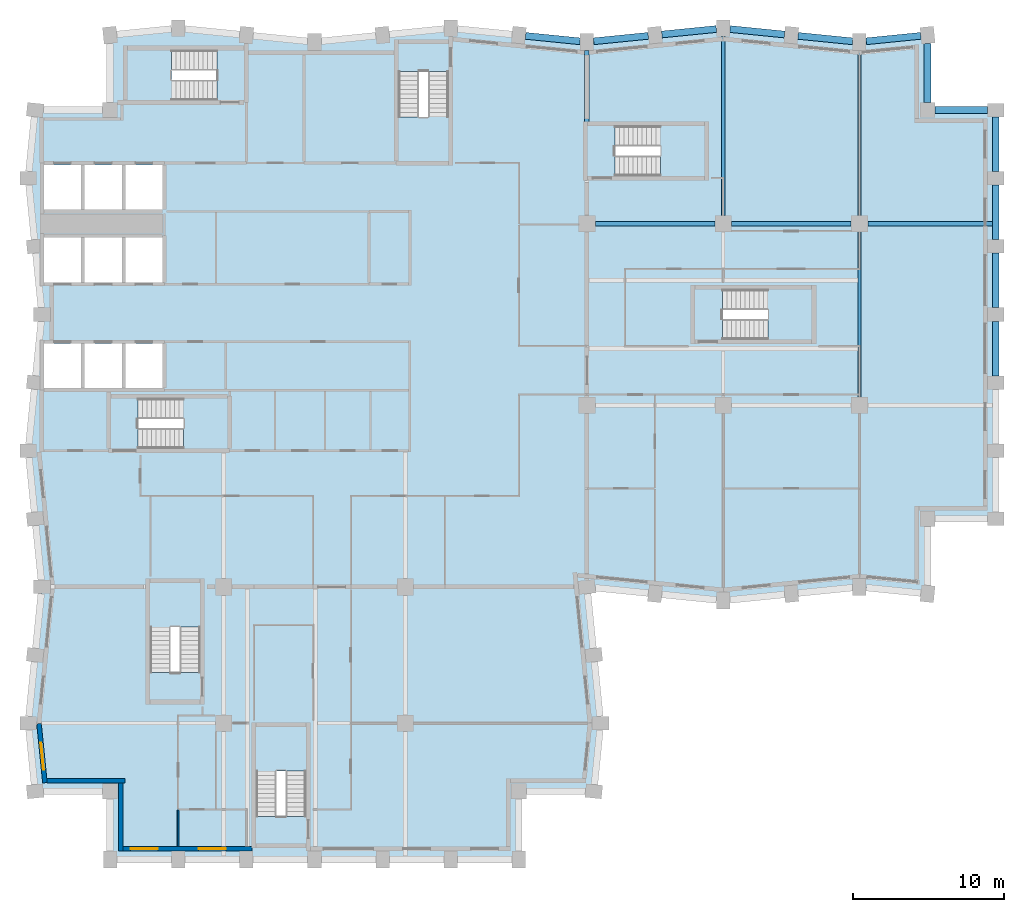
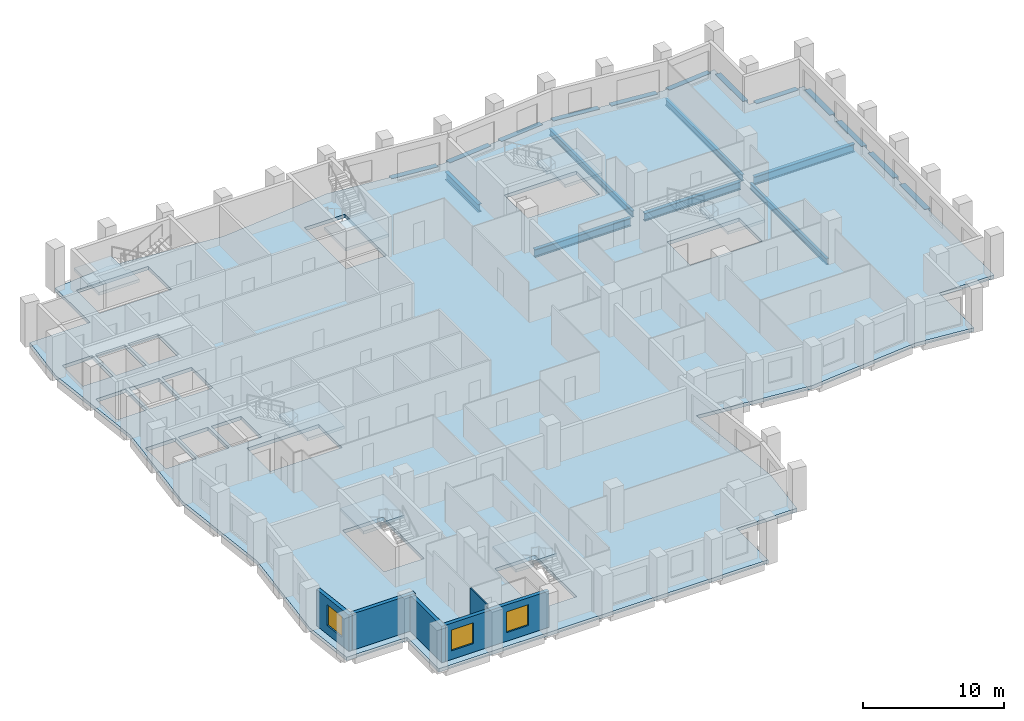
# One storey, part 2 of 10: 19 beams, 8 slabs, 5 walls, 3 windows, 3 openings, 7 elements without a shape of their own.
"""IFC4 building model written with IfcOpenShell, lengths in metres."""

import ifcopenshell
import ifcopenshell.guid

model = None  # the IFC model being written
_history = None  # IfcOwnerHistory: only IFC2X3 demands one
_inside = {}  # id of a spatial element -> (the spatial element, [elements in it])
_under = {}  # id of a project, library or spatial element -> (it, [spatial elements below it])
_declared = {}  # id of a project -> (the project, [libraries it declares])
_typed = {}  # id of a type object -> (the type object, [elements of that type])
_made_of = {}  # id of a material, layer set ... -> (it, [elements and type objects made of it])


def new_model(schema):
    """Start an empty IFC model of exactly this schema.

    Asked for "IFC4X3", IfcOpenShell would pick the latest addendum, in which some entities
    have other attributes; the version numbers below select the first issue.
    IFC2X3 requires an IfcOwnerHistory on every rooted entity: one is made here for all.
    """
    global model, _history
    if schema == "IFC4X3":
        model = ifcopenshell.file(schema_version=(4, 3, 0, 0))
    else:
        model = ifcopenshell.file(schema=schema)
    _inside.clear()
    _under.clear()
    _declared.clear()
    _typed.clear()
    _made_of.clear()
    _history = None
    if model.schema == "IFC2X3":
        org = make("IfcOrganization", Name="unknown")
        user = make(
            "IfcPersonAndOrganization",
            ThePerson=make("IfcPerson", FamilyName="unknown"),
            TheOrganization=org,
        )
        app = make(
            "IfcApplication",
            ApplicationDeveloper=org,
            Version="unknown",
            ApplicationFullName="unknown",
            ApplicationIdentifier="unknown",
        )
        _history = make(
            "IfcOwnerHistory",
            OwningUser=user,
            OwningApplication=app,
            ChangeAction="ADDED",
            CreationDate=0,
        )
    return model


def make(cls, **values):
    """One entity of the class cls with the attributes given. An attribute that is None is left unset."""
    return model.create_entity(
        cls, **{name: value for name, value in values.items() if value is not None}
    )


def rooted(cls, **values):
    """An entity with a GlobalId (a new one), such as an element, a storey or a relation."""
    return make(cls, GlobalId=ifcopenshell.guid.new(), OwnerHistory=_history, **values)


def si_unit(unit_type, name, prefix=None):
    """IfcSIUnit, for example si_unit("LENGTHUNIT", "METRE", prefix="MILLI")."""
    return make("IfcSIUnit", UnitType=unit_type, Prefix=prefix, Name=name)


def assignment(units):
    """IfcUnitAssignment: the units of a project."""
    return None if units is None else make("IfcUnitAssignment", Units=units)


def point(xyz):
    """IfcCartesianPoint."""
    return None if xyz is None else make("IfcCartesianPoint", Coordinates=xyz)


def direction(xyz):
    """IfcDirection."""
    return None if xyz is None else make("IfcDirection", DirectionRatios=xyz)


def frame(location, z_axis=None, x_axis=None):
    """IfcAxis2Placement3D, a coordinate frame: its origin and axes. An axis left out is left unset."""
    return make(
        "IfcAxis2Placement3D",
        Location=point(location),
        Axis=direction(z_axis),
        RefDirection=direction(x_axis),
    )


def frame_2d(location, x_axis=None):
    """IfcAxis2Placement2D, a coordinate frame in the plane: its origin and x axis."""
    return make(
        "IfcAxis2Placement2D", Location=point(location), RefDirection=direction(x_axis)
    )


def origin():
    """The frame at (0, 0, 0) with its axes left unset."""
    return frame((0.0, 0.0, 0.0))


def origin_2d():
    """The frame at (0, 0) in the plane with its x axis left unset."""
    return frame_2d((0.0, 0.0))


def place(relative_to, where):
    """IfcLocalPlacement: puts the frame where relative to a parent placement (None: the world)."""
    return make(
        "IfcLocalPlacement", PlacementRelTo=relative_to, RelativePlacement=where
    )


def context(
    kind, dimensions, precision=None, world=None, true_north=None, identifier=None
):
    """IfcGeometricRepresentationContext, for example the 3D "Model" context."""
    return make(
        "IfcGeometricRepresentationContext",
        ContextIdentifier=identifier,
        ContextType=kind,
        CoordinateSpaceDimension=dimensions,
        Precision=precision,
        WorldCoordinateSystem=world,
        TrueNorth=true_north,
    )


def subcontext(parent, identifier, kind, view, scale=None):
    """IfcGeometricRepresentationSubContext, for example "Body" below "Model"."""
    return make(
        "IfcGeometricRepresentationSubContext",
        ContextIdentifier=identifier,
        ContextType=kind,
        ParentContext=parent,
        TargetScale=scale,
        TargetView=view,
    )


def project(units=None, contexts=None):
    """IfcProject with its units and contexts."""
    return rooted(
        "IfcProject",
        Name="project",
        RepresentationContexts=contexts,
        UnitsInContext=assignment(units),
    )


def spatial(cls, under=None, at=None, **own):
    """A site, building, storey or space (cls), placed at a placement, below another one or the project."""
    s = rooted(cls, ObjectPlacement=at, **own)
    if under is not None:
        _under.setdefault(under.id(), (under, []))[1].append(s)
    return s


def polyline(points):
    """IfcPolyline through the points."""
    return make("IfcPolyline", Points=[point(p) for p in points])


def profile(cls, at=None, kind="AREA", **sizes):
    """A parametric profile (cls). Its sizes go by their IFC names, for example OverallWidth=200.0."""
    return make(cls, ProfileType=kind, Position=at, **sizes)


def rectangle(**sizes):
    """IfcRectangleProfileDef."""
    return profile("IfcRectangleProfileDef", **sizes)


def i_section(**sizes):
    """IfcIShapeProfileDef."""
    return profile("IfcIShapeProfileDef", **sizes)


def outline(outer, holes=None, kind="AREA"):
    """IfcArbitraryClosedProfileDef: a profile drawn as a closed curve; with holes, ...WithVoids."""
    if holes is None:
        return make("IfcArbitraryClosedProfileDef", ProfileType=kind, OuterCurve=outer)
    return make(
        "IfcArbitraryProfileDefWithVoids",
        ProfileType=kind,
        OuterCurve=outer,
        InnerCurves=holes,
    )


def extrude(swept, where, along, depth):
    """IfcExtrudedAreaSolid: the profile swept, set in the frame where, extruded along a direction by depth."""
    return make(
        "IfcExtrudedAreaSolid",
        SweptArea=swept,
        Position=where,
        ExtrudedDirection=direction(along),
        Depth=depth,
    )


def shape(context_of_items, identifier, shape_type, items):
    """IfcShapeRepresentation: the items that make up one representation, for example the "Body"."""
    return make(
        "IfcShapeRepresentation",
        ContextOfItems=context_of_items,
        RepresentationIdentifier=identifier,
        RepresentationType=shape_type,
        Items=items,
    )


def material(Name=None, Category=None):
    """IfcMaterial."""
    return make("IfcMaterial", Name=Name, Category=Category)


def layer(
    of_material, thickness, ventilated=None, Name=None, Category=None, Priority=None
):
    """IfcMaterialLayer: one layer of a wall or slab, of a material (None: an air gap)."""
    return make(
        "IfcMaterialLayer",
        Material=of_material,
        LayerThickness=thickness,
        IsVentilated=ventilated,
        Name=Name,
        Category=Category,
        Priority=Priority,
    )


def layer_set(layers, Name=None):
    """IfcMaterialLayerSet."""
    return make("IfcMaterialLayerSet", MaterialLayers=layers, LayerSetName=Name)


def material_profile(
    of_material, cross_section, Name=None, Category=None, Priority=None
):
    """IfcMaterialProfile: a cross section and its material."""
    return make(
        "IfcMaterialProfile",
        Name=Name,
        Material=of_material,
        Profile=cross_section,
        Priority=Priority,
        Category=Category,
    )


def profile_set(profiles, Name=None, composite=None):
    """IfcMaterialProfileSet."""
    return make(
        "IfcMaterialProfileSet",
        Name=Name,
        MaterialProfiles=profiles,
        CompositeProfile=composite,
    )


def made_of(thing, what):
    """Note that an element or type object is made of a material, layer set ...; save() writes the relation."""
    if what is not None:
        _made_of.setdefault(what.id(), (what, []))[1].append(thing)
    return thing


def type_object(cls, material=None, **own):
    """A type object (cls), such as IfcWallType, which elements share."""
    return made_of(rooted(cls, **own), material)


def element(
    cls,
    number,
    at=None,
    inside=None,
    cuts=None,
    type_object=None,
    material=None,
    context=None,
    identifier="Body",
    shape_type=None,
    held_by="IfcProductDefinitionShape",
    body=None,
    shapes=None,
    **own,
):
    """One element of the class cls, such as IfcWall. Its Tag is "e" and its number.

    at: its placement. inside: the storey or other place that contains it. cuts: it is an
    opening in that element (IfcRelVoidsElement). A single representation is given by context,
    identifier, shape_type and body (its items); several are given by shapes. held_by: the class
    of the entity that holds the representations. save() writes the other relations.
    """
    e = rooted(cls, Tag="e%d" % number, ObjectPlacement=at, **own)
    if body is not None:
        shapes = [shape(context, identifier, shape_type, body)]
    if shapes is not None:
        e.Representation = make(held_by, Representations=shapes)
    if inside is not None:
        _inside.setdefault(inside.id(), (inside, []))[1].append(e)
    if cuts is not None:
        rooted(
            "IfcRelVoidsElement", RelatingBuildingElement=cuts, RelatedOpeningElement=e
        )
    if type_object is not None:
        _typed.setdefault(type_object.id(), (type_object, []))[1].append(e)
    return made_of(e, material)


def fill(opening, filler):
    """IfcRelFillsElement: the door or window that sits in an opening."""
    return rooted(
        "IfcRelFillsElement",
        RelatingOpeningElement=opening,
        RelatedBuildingElement=filler,
    )


def aggregate(whole, parts):
    """IfcRelAggregates: a whole, such as a stair, and the parts it consists of."""
    return rooted("IfcRelAggregates", RelatingObject=whole, RelatedObjects=parts)


def save(model, path):
    """Write the relations noted so far, then the file.

    IfcRelAggregates (storeys below a building ...), IfcRelContainedInSpatialStructure (elements
    in a storey), IfcRelDefinesByType, IfcRelAssociatesMaterial and IfcRelDeclares: one each for
    every whole, place, type object, material and project.
    """
    for whole, parts in _under.values():
        aggregate(whole, parts)
    for where, things in _inside.values():
        rooted(
            "IfcRelContainedInSpatialStructure",
            RelatedElements=things,
            RelatingStructure=where,
        )
    for kind, things in _typed.values():
        rooted("IfcRelDefinesByType", RelatedObjects=things, RelatingType=kind)
    for what, things in _made_of.values():
        rooted("IfcRelAssociatesMaterial", RelatedObjects=things, RelatingMaterial=what)
    for by, libraries in _declared.values():
        rooted("IfcRelDeclares", RelatingContext=by, RelatedDefinitions=libraries)
    model.write(path)


model = new_model("IFC4")

# Units and contexts
model_context = context("Model", 3, precision=1e-05, world=origin(), true_north=direction((0.0, 1.0)))
body_context = subcontext(model_context, "Body", "Model", "MODEL_VIEW")
ifc_project = project(units=[si_unit("LENGTHUNIT", "METRE"), si_unit("AREAUNIT", "SQUARE_METRE"), si_unit("VOLUMEUNIT", "CUBIC_METRE"), si_unit("PLANEANGLEUNIT", "RADIAN"), si_unit("MASSUNIT", "GRAM", prefix="KILO")], contexts=[model_context])

# Site, building, storey
site_placement = place(None, origin())
site = spatial("IfcSite", under=ifc_project, at=site_placement, CompositionType="ELEMENT")
building_placement = place(site_placement, origin())
building = spatial("IfcBuilding", under=site, at=building_placement, Name="Brondeck Convention Tower", CompositionType="ELEMENT")
storey_placement = place(building_placement, frame((0.0, 0.0, 173.800048828125)))
storey = spatial("IfcBuildingStorey", under=building, at=storey_placement, Name="L42", CompositionType="ELEMENT", Elevation=173.800048828125)

# Beams
ifc_material_1 = material(Name="Steel S355", Category="steel")
ifc_material_profile_1 = material_profile(ifc_material_1, i_section(OverallWidth=0.2099609375, OverallDepth=0.550048828125, WebThickness=0.010986328125, FlangeThickness=0.01708984375, FilletRadius=0.02392578125, at=origin_2d()), Name="IPE 550")
ifc_profile_set_1 = profile_set([ifc_material_profile_1], Name="Steel S355")
beam_type_1 = type_object("IfcBeamType", Name="Floor beam IPE 550", PredefinedType="BEAM", material=ifc_profile_set_1)
beam_1_placement = place(storey_placement, frame((45.0, 51.550048828125, -0.574951171875), z_axis=(0.0, 1.0, 0.0), x_axis=(-1.0, 0.0, 0.0)))
element("IfcBeam", 1, at=beam_1_placement, inside=storey, type_object=beam_type_1, Name="STR-FB-L42-002", PredefinedType="BEAM", context=body_context, shape_type="SweptSolid", body=[
    extrude(i_section(OverallWidth=0.2099609375, OverallDepth=0.550048828125, WebThickness=0.010986328125, FlangeThickness=0.01708984375, FilletRadius=0.02392578125, at=origin_2d()), origin(), (0.0, 0.0, 1.0), 11.800048828125),
])
for number, where, z_axis, x_axis, name in (
    (2, (54.0, 39.550048828125, -0.574951171875), (0.0, 1.0, 0.0), (-1.0, 0.0, 0.0), "STR-FB-L42-004"),
    (3, (54.0, 51.550048828125, -0.574951171875), (0.0, 1.0, 0.0), (-1.0, 0.0, 0.0), "STR-FB-L42-005"),
):
    element("IfcBeam", number, at=place(storey_placement, frame(where, z_axis=z_axis, x_axis=x_axis)), inside=storey, type_object=beam_type_1, Name=name, PredefinedType="BEAM", context=body_context, shape_type="SweptSolid", body=[
        extrude(i_section(OverallWidth=0.2099609375, OverallDepth=0.550048828125, WebThickness=0.010986328125, FlangeThickness=0.01708984375, FilletRadius=0.02392578125, at=origin_2d()), origin(), (0.0, 0.0, 1.0), 10.89990234375),
    ])
ifc_material_profile_2 = material_profile(ifc_material_1, i_section(OverallWidth=0.300048828125, OverallDepth=0.699951171875, WebThickness=0.01708984375, FlangeThickness=0.031982421875, FilletRadius=0.027099609375, at=origin_2d()), Name="HEB 700")
ifc_profile_set_2 = profile_set([ifc_material_profile_2], Name="Steel S355")
beam_type_2 = type_object("IfcBeamType", Name="Girder HEB 700", PredefinedType="BEAM", material=ifc_profile_set_2)
for number, where, z_axis, x_axis, name in (
    (4, (36.550048828125, 51.0, -0.650146484375), (1.0, 0.0, 0.0), (0.0, 1.0, 0.0), "STR-GR-L42-004"),
    (5, (45.550048828125, 51.0, -0.650146484375), (1.0, 0.0, 0.0), (0.0, 1.0, 0.0), "STR-GR-L42-005"),
):
    element("IfcBeam", number, at=place(storey_placement, frame(where, z_axis=z_axis, x_axis=x_axis)), inside=storey, type_object=beam_type_2, Name=name, PredefinedType="BEAM", context=body_context, shape_type="SweptSolid", body=[
        extrude(i_section(OverallWidth=0.300048828125, OverallDepth=0.699951171875, WebThickness=0.01708984375, FlangeThickness=0.031982421875, FilletRadius=0.027099609375, at=origin_2d()), origin(), (0.0, 0.0, 1.0), 7.89990234375),
    ])
beam_2_placement = place(storey_placement, frame((54.550048828125, 51.0, -0.650146484375), z_axis=(1.0, 0.0, 0.0), x_axis=(0.0, 1.0, 0.0)))
element("IfcBeam", 6, at=beam_2_placement, inside=storey, type_object=beam_type_2, Name="STR-GR-L42-006", PredefinedType="BEAM", context=body_context, shape_type="SweptSolid", body=[
    extrude(i_section(OverallWidth=0.300048828125, OverallDepth=0.699951171875, WebThickness=0.01708984375, FlangeThickness=0.031982421875, FilletRadius=0.027099609375, at=origin_2d()), origin(), (0.0, 0.0, 1.0), 8.224853515625),
])
beam_3_placement = place(storey_placement, frame((36.0, 57.719970703125, -0.650146484375), z_axis=(0.0, 1.0, 0.0), x_axis=(-1.0, 0.0, 0.0)))
element("IfcBeam", 7, at=beam_3_placement, inside=storey, type_object=beam_type_2, Name="STR-GR-L42-010", PredefinedType="BEAM", context=body_context, shape_type="SweptSolid", body=[
    extrude(i_section(OverallWidth=0.300048828125, OverallDepth=0.699951171875, WebThickness=0.01708984375, FlangeThickness=0.031982421875, FilletRadius=0.027099609375, at=origin_2d()), origin(), (0.0, 0.0, 1.0), 4.72998046875),
])
ifc_material_2 = material(Name="Concrete C70/85", Category="concrete")
ifc_material_profile_3 = material_profile(ifc_material_2, rectangle(XDim=0.449951171875, YDim=0.64990234375, at=origin_2d()), Name="Precast spandrel 450x650 Concrete C70/85")
ifc_profile_set_3 = profile_set([ifc_material_profile_3], Name="Concrete C70/85")
beam_type_3 = type_object("IfcBeamType", Name="Precast spandrel 450x650 Concrete C70/85", PredefinedType="SPANDREL", material=ifc_profile_set_3)
for number, where, z_axis, x_axis, name in (
    (8, (63.0, 40.949951171875, -0.324951171875), (0.0, 1.0, 0.0), (-1.0, 0.0, 0.0), "STR-SP-L42-021"),
    (9, (63.0, 45.449951171875, -0.324951171875), (0.0, 1.0, 0.0), (-1.0, 0.0, 0.0), "STR-SP-L42-022"),
    (10, (63.0, 49.949951171875, -0.324951171875), (0.0, 1.0, 0.0), (-1.0, 0.0, 0.0), "STR-SP-L42-023"),
    (11, (63.0, 54.449951171875, -0.324951171875), (0.0, 1.0, 0.0), (-1.0, 0.0, 0.0), "STR-SP-L42-024"),
):
    element("IfcBeam", number, at=place(storey_placement, frame(where, z_axis=z_axis, x_axis=x_axis)), inside=storey, type_object=beam_type_3, Name=name, PredefinedType="SPANDREL", context=body_context, shape_type="SweptSolid", body=[
        extrude(rectangle(XDim=0.449951171875, YDim=0.64990234375, at=origin_2d()), origin(), (0.0, 0.0, 1.0), 3.60009765625),
    ])
beam_4_placement = place(storey_placement, frame((62.449951171875, 58.5, -0.324951171875), z_axis=(-1.0, 0.0, 0.0), x_axis=(0.0, -1.0, 0.0)))
element("IfcBeam", 12, at=beam_4_placement, inside=storey, type_object=beam_type_3, Name="STR-SP-L42-025", PredefinedType="SPANDREL", context=body_context, shape_type="SweptSolid", body=[
    extrude(rectangle(XDim=0.449951171875, YDim=0.64990234375, at=origin_2d()), origin(), (0.0, 0.0, 1.0), 3.449951171875),
])
beam_5_placement = place(storey_placement, frame((58.5, 59.0, -0.324951171875), z_axis=(0.0, 1.0, 0.0), x_axis=(-1.0, 0.0, 0.0)))
element("IfcBeam", 13, at=beam_5_placement, inside=storey, type_object=beam_type_3, Name="STR-SP-L42-026", PredefinedType="SPANDREL", context=body_context, shape_type="SweptSolid", body=[
    extrude(rectangle(XDim=0.449951171875, YDim=0.64990234375, at=origin_2d()), origin(), (0.0, 0.0, 1.0), 3.897216796875),
])
for number, where, z_axis, x_axis, name in (
    (14, (58.05224609375, 63.4052734375, -0.324951171875), (-0.995033851182, -0.099537103649, 0.0), (0.099537103649, -0.995033851182, 0.0), "STR-SP-L42-027"),
    (15, (53.550048828125, 63.044921875, -0.324951171875), (-0.995033851182, 0.099537103649, 0.0), (-0.099537103649, -0.995033851182, 0.0), "STR-SP-L42-028"),
    (16, (49.05224609375, 63.494873046875, -0.324951171875), (-0.995040528141, 0.099470334057, 0.0), (-0.099470334057, -0.995040528141, 0.0), "STR-SP-L42-029"),
    (17, (44.550048828125, 63.85498046875, -0.324951171875), (-0.995040528141, -0.099470334057, 0.0), (0.099470334057, -0.995040528141, 0.0), "STR-SP-L42-030"),
    (18, (40.05224609375, 63.4052734375, -0.324951171875), (-0.995033851182, -0.099537103649, 0.0), (0.099537103649, -0.995033851182, 0.0), "STR-SP-L42-031"),
    (19, (35.550048828125, 63.044921875, -0.324951171875), (-0.995033851182, 0.099537103649, 0.0), (-0.099537103649, -0.995033851182, 0.0), "STR-SP-L42-032"),
):
    element("IfcBeam", number, at=place(storey_placement, frame(where, z_axis=z_axis, x_axis=x_axis)), inside=storey, type_object=beam_type_3, Name=name, PredefinedType="SPANDREL", context=body_context, shape_type="SweptSolid", body=[
        extrude(rectangle(XDim=0.449951171875, YDim=0.64990234375, at=origin_2d()), origin(), (0.0, 0.0, 1.0), 3.620361328125),
    ])

# Slab
ifc_material_3 = material(Name="Concrete C35/45", Category="concrete")
ifc_layer_1 = layer(ifc_material_3, 0.300048828125)
ifc_layer_set_1 = layer_set([ifc_layer_1], Name="Composite floor slab 300")
slab_type_1 = type_object("IfcSlabType", Name="Composite floor slab 300", PredefinedType="FLOOR", material=ifc_layer_set_1)
slab_1_placement = place(storey_placement, frame((0.0, 0.0, -0.300048828125)))
element("IfcSlab", 20, at=slab_1_placement, inside=storey, type_object=slab_type_1, Name="STR-SL-L42", PredefinedType="FLOOR", context=body_context, shape_type="SweptSolid", body=[
    extrude(outline(polyline([(4.5, 13.5), (-0.449951171875, 13.5), (-0.89990234375, 18.0), (0.0, 27.0), (-0.89990234375, 36.0), (0.0, 45.0), (-0.89990234375, 54.0), (-0.449951171875, 58.5), (4.5, 58.5), (4.5, 63.449951171875), (9.0, 63.89990234375), (18.0, 63.0), (27.0, 63.89990234375), (36.0, 63.0), (45.0, 63.89990234375), (54.0, 63.0), (58.5, 63.449951171875), (58.5, 58.5), (63.0, 58.5), (63.0, 31.5), (58.5, 31.5), (58.5, 26.550048828125), (54.0, 27.0), (45.0, 26.10009765625), (36.0, 27.0), (36.89990234375, 18.0), (36.449951171875, 13.5), (31.5, 13.5), (31.5, 9.0), (4.5, 9.0), (4.5, 13.5)]), holes=[polyline([(2.574951171875, 40.125), (2.574951171875, 43.074951171875), (0.125, 43.074951171875), (0.125, 40.125), (2.574951171875, 40.125)]), polyline([(5.27490234375, 40.125), (5.27490234375, 43.074951171875), (2.824951171875, 43.074951171875), (2.824951171875, 40.125), (5.27490234375, 40.125)]), polyline([(7.97509765625, 40.125), (7.97509765625, 43.074951171875), (5.52490234375, 43.074951171875), (5.52490234375, 40.125), (7.97509765625, 40.125)]), polyline([(2.574951171875, 47.125), (2.574951171875, 50.074951171875), (0.125, 50.074951171875), (0.125, 47.125), (2.574951171875, 47.125)]), polyline([(5.27490234375, 47.125), (5.27490234375, 50.074951171875), (2.824951171875, 50.074951171875), (2.824951171875, 47.125), (5.27490234375, 47.125)]), polyline([(7.97509765625, 47.125), (7.97509765625, 50.074951171875), (5.52490234375, 50.074951171875), (5.52490234375, 47.125), (7.97509765625, 47.125)]), polyline([(2.574951171875, 51.925048828125), (2.574951171875, 54.875), (0.125, 54.875), (0.125, 51.925048828125), (2.574951171875, 51.925048828125)]), polyline([(5.27490234375, 51.925048828125), (5.27490234375, 54.875), (2.824951171875, 54.875), (2.824951171875, 51.925048828125), (5.27490234375, 51.925048828125)]), polyline([(17.447998046875, 17.748046875), (14.152099609375, 17.748046875), (14.152099609375, 11.85205078125), (17.447998046875, 11.85205078125), (17.447998046875, 17.748046875)]), polyline([(10.447998046875, 27.248046875), (7.152099609375, 27.248046875), (7.152099609375, 21.35205078125), (10.447998046875, 21.35205078125), (10.447998046875, 27.248046875)]), polyline([(12.248046875, 36.152099609375), (12.248046875, 39.447998046875), (6.35205078125, 39.447998046875), (6.35205078125, 36.152099609375), (12.248046875, 36.152099609375)]), polyline([(50.847900390625, 43.35205078125), (50.847900390625, 46.64794921875), (44.951904296875, 46.64794921875), (44.951904296875, 43.35205078125), (50.847900390625, 43.35205078125)]), polyline([(7.97509765625, 51.925048828125), (7.97509765625, 54.875), (5.52490234375, 54.875), (5.52490234375, 51.925048828125), (7.97509765625, 51.925048828125)]), polyline([(43.748046875, 54.152099609375), (43.748046875, 57.447998046875), (37.85205078125, 57.447998046875), (37.85205078125, 54.152099609375), (43.748046875, 54.152099609375)]), polyline([(23.552001953125, 55.152099609375), (26.847900390625, 55.152099609375), (26.847900390625, 61.048095703125), (23.552001953125, 61.048095703125), (23.552001953125, 55.152099609375)]), polyline([(5.652099609375, 62.447998046875), (5.652099609375, 59.152099609375), (11.548095703125, 59.152099609375), (11.548095703125, 62.447998046875), (5.652099609375, 62.447998046875)])]), origin(), (0.0, 0.0, 1.0), 0.300048828125),
])

# Stair, slab
ifc_material_4 = material(Name="Precast concrete C50/60", Category="concrete")
stair_type = type_object("IfcStairType", Name="Core stair 22 risers 172.73 mm riser 300 mm going 1350 wide", PredefinedType="HALF_TURN_STAIR", material=ifc_material_4)
stair_1_placement = place(storey_placement, origin())
stair_1 = element("IfcStair", 21, at=stair_1_placement, inside=storey, type_object=stair_type, Name="ST-1 L42 stair", PredefinedType="HALF_TURN_STAIR")
ifc_layer_2 = layer(ifc_material_4, 0.25)
ifc_layer_set_2 = layer_set([ifc_layer_2], Name="Core stair landing 250 Precast concrete C50/60")
slab_type_2 = type_object("IfcSlabType", Name="Core stair landing 250 Precast concrete C50/60", PredefinedType="LANDING", material=ifc_layer_set_2)
slab_2_placement = place(storey_placement, frame((0.0, 0.0, 1.64990234375)))
slab_2 = element("IfcSlab", 22, at=slab_2_placement, type_object=slab_type_2, Name="ST-1 landing 1", PredefinedType="LANDING", context=body_context, shape_type="SweptSolid", body=[
    extrude(outline(polyline([(9.347900390625, 37.5), (9.35009765625, 37.5), (9.35009765625, 38.10009765625), (9.050048828125, 38.10009765625), (9.050048828125, 39.570068359375), (12.3701171875, 39.570068359375), (12.3701171875, 36.030029296875), (9.347900390625, 36.030029296875), (9.347900390625, 37.5)])), origin(), (0.0, 0.0, 1.0), 0.25),
])
aggregate(stair_1, [slab_2])

stair_2_placement = place(storey_placement, origin())
stair_2 = element("IfcStair", 23, at=stair_2_placement, inside=storey, type_object=stair_type, Name="ST-2 L42 stair", PredefinedType="HALF_TURN_STAIR")
slab_3_placement = place(storey_placement, frame((0.0, 0.0, 1.64990234375)))
slab_3 = element("IfcSlab", 24, at=slab_3_placement, type_object=slab_type_2, Name="ST-2 landing 1", PredefinedType="LANDING", context=body_context, shape_type="SweptSolid", body=[
    extrude(outline(polyline([(23.429931640625, 58.052001953125), (24.89990234375, 58.052001953125), (24.89990234375, 58.050048828125), (25.5, 58.050048828125), (25.5, 58.35009765625), (26.969970703125, 58.35009765625), (26.969970703125, 55.030029296875), (23.429931640625, 55.030029296875), (23.429931640625, 58.052001953125)])), origin(), (0.0, 0.0, 1.0), 0.25),
])
aggregate(stair_2, [slab_3])

stair_3_placement = place(storey_placement, origin())
stair_3 = element("IfcStair", 25, at=stair_3_placement, inside=storey, type_object=stair_type, Name="ST-3 L42 stair", PredefinedType="HALF_TURN_STAIR")
slab_4_placement = place(storey_placement, frame((0.0, 0.0, 1.64990234375)))
slab_4 = element("IfcSlab", 26, at=slab_4_placement, type_object=slab_type_2, Name="ST-3 landing 1", PredefinedType="LANDING", context=body_context, shape_type="SweptSolid", body=[
    extrude(outline(polyline([(8.85009765625, 60.5), (8.85009765625, 59.030029296875), (5.530029296875, 59.030029296875), (5.530029296875, 62.570068359375), (8.552001953125, 62.570068359375), (8.552001953125, 61.10009765625), (8.550048828125, 61.10009765625), (8.550048828125, 60.5), (8.85009765625, 60.5)])), origin(), (0.0, 0.0, 1.0), 0.25),
])
aggregate(stair_3, [slab_4])

stair_4_placement = place(storey_placement, origin())
stair_4 = element("IfcStair", 27, at=stair_4_placement, inside=storey, type_object=stair_type, Name="ST-AE L42 stair", PredefinedType="HALF_TURN_STAIR")
slab_5_placement = place(storey_placement, frame((0.0, 0.0, 1.64990234375)))
slab_5 = element("IfcSlab", 28, at=slab_5_placement, type_object=slab_type_2, Name="ST-AE landing 1", PredefinedType="LANDING", context=body_context, shape_type="SweptSolid", body=[
    extrude(outline(polyline([(40.847900390625, 55.5), (40.85009765625, 55.5), (40.85009765625, 56.10009765625), (40.550048828125, 56.10009765625), (40.550048828125, 57.570068359375), (43.8701171875, 57.570068359375), (43.8701171875, 54.030029296875), (40.847900390625, 54.030029296875), (40.847900390625, 55.5)])), origin(), (0.0, 0.0, 1.0), 0.25),
])
aggregate(stair_4, [slab_5])

stair_5_placement = place(storey_placement, origin())
stair_5 = element("IfcStair", 29, at=stair_5_placement, inside=storey, type_object=stair_type, Name="ST-BE L42 stair", PredefinedType="HALF_TURN_STAIR")
slab_6_placement = place(storey_placement, frame((0.0, 0.0, 1.64990234375)))
slab_6 = element("IfcSlab", 30, at=slab_6_placement, type_object=slab_type_2, Name="ST-BE landing 1", PredefinedType="LANDING", context=body_context, shape_type="SweptSolid", body=[
    extrude(outline(polyline([(7.030029296875, 24.050048828125), (7.030029296875, 27.3701171875), (10.570068359375, 27.3701171875), (10.570068359375, 24.347900390625), (9.10009765625, 24.347900390625), (9.10009765625, 24.35009765625), (8.5, 24.35009765625), (8.5, 24.050048828125), (7.030029296875, 24.050048828125)])), origin(), (0.0, 0.0, 1.0), 0.25),
])
aggregate(stair_5, [slab_6])

stair_6_placement = place(storey_placement, origin())
stair_6 = element("IfcStair", 31, at=stair_6_placement, inside=storey, type_object=stair_type, Name="ST-AF L42 stair", PredefinedType="HALF_TURN_STAIR")
slab_7_placement = place(storey_placement, frame((0.0, 0.0, 1.64990234375)))
slab_7 = element("IfcSlab", 32, at=slab_7_placement, type_object=slab_type_2, Name="ST-AF landing 1", PredefinedType="LANDING", context=body_context, shape_type="SweptSolid", body=[
    extrude(outline(polyline([(47.947998046875, 44.699951171875), (47.949951171875, 44.699951171875), (47.949951171875, 45.300048828125), (47.64990234375, 45.300048828125), (47.64990234375, 46.77001953125), (50.969970703125, 46.77001953125), (50.969970703125, 43.22998046875), (47.947998046875, 43.22998046875), (47.947998046875, 44.699951171875)])), origin(), (0.0, 0.0, 1.0), 0.25),
])
aggregate(stair_6, [slab_7])

stair_7_placement = place(storey_placement, origin())
stair_7 = element("IfcStair", 33, at=stair_7_placement, inside=storey, type_object=stair_type, Name="ST-BF L42 stair", PredefinedType="HALF_TURN_STAIR")
slab_8_placement = place(storey_placement, frame((0.0, 0.0, 1.64990234375)))
slab_8 = element("IfcSlab", 34, at=slab_8_placement, type_object=slab_type_2, Name="ST-BF landing 1", PredefinedType="LANDING", context=body_context, shape_type="SweptSolid", body=[
    extrude(outline(polyline([(14.030029296875, 14.550048828125), (14.030029296875, 17.8701171875), (17.570068359375, 17.8701171875), (17.570068359375, 14.847900390625), (16.10009765625, 14.847900390625), (16.10009765625, 14.85009765625), (15.5, 14.85009765625), (15.5, 14.550048828125), (14.030029296875, 14.550048828125)])), origin(), (0.0, 0.0, 1.0), 0.25),
])
aggregate(stair_7, [slab_8])

# Wall, openings, windows
ifc_material_5 = material(Name="Precast concrete C50/60 bronze finish", Category="concrete")
ifc_layer_3 = layer(ifc_material_5, 0.070068359375, Name="Bronze precast facing")
ifc_material_6 = material(Name="Mineral wool")
ifc_layer_4 = layer(ifc_material_6, 0.159912109375, Name="Insulation")
ifc_layer_5 = layer(ifc_material_3, 0.070068359375, Name="Backing")
ifc_layer_set_3 = layer_set([ifc_layer_3, ifc_layer_4, ifc_layer_5], Name="External infill wall, precast concrete C50/60 bronze facing")
wall_type_1 = type_object("IfcWallType", Name="External infill wall, precast concrete C50/60 bronze facing", PredefinedType="SOLIDWALL", material=ifc_layer_set_3)
wall_1_placement = place(storey_placement, frame((13.860107421875, 9.699951171875, 0.0), z_axis=(0.0, 0.0, 1.0), x_axis=(-1.0, 0.0, 0.0)))
wall_1 = element("IfcWall", 35, at=wall_1_placement, inside=storey, type_object=wall_type_1, Name="ENV-EW-L42-P1-B-S9-01", PredefinedType="SOLIDWALL", context=body_context, shape_type="SweptSolid", body=[
    extrude(rectangle(XDim=8.510009765625, YDim=0.300048828125, at=frame_2d((4.2548828125, 0.0))), origin(), (0.0, 0.0, 1.0), 3.14990234375),
])
opening_1_placement = place(wall_1_placement, frame((1.7099609375, 0.0, 0.75)))
opening_1 = element("IfcOpeningElement", 36, at=opening_1_placement, cuts=wall_1, Name="Opening W10", PredefinedType="OPENING", context=body_context, shape_type="SweptSolid", body=[
    extrude(rectangle(XDim=1.800048828125, YDim=1.800048828125, at=frame_2d((0.89990234375, 0.89990234375))), frame((0.0, 0.159912109375, 0.0), z_axis=(0.0, -1.0, 0.0), x_axis=(1.0, 0.0, 0.0)), (0.0, 0.0, 1.0), 0.320068359375),
])
opening_2_placement = place(wall_1_placement, frame((6.2099609375, 0.0, 0.75)))
opening_2 = element("IfcOpeningElement", 37, at=opening_2_placement, cuts=wall_1, Name="Opening W10", PredefinedType="OPENING", context=body_context, shape_type="SweptSolid", body=[
    extrude(rectangle(XDim=1.800048828125, YDim=1.800048828125, at=frame_2d((0.89990234375, 0.89990234375))), frame((0.0, 0.159912109375, 0.0), z_axis=(0.0, -1.0, 0.0), x_axis=(1.0, 0.0, 0.0)), (0.0, 0.0, 1.0), 0.320068359375),
])
ifc_material_7 = material(Name="Bronze tinted double glazing", Category="glass")
window_type = type_object("IfcWindowType", Name="Punched window, bronze tinted", PartitioningType="SINGLE_PANEL", PredefinedType="WINDOW", material=ifc_material_7)
window_1_placement = place(opening_1_placement, origin())
window_1 = element("IfcWindow", 38, at=window_1_placement, inside=storey, type_object=window_type, Name="ENV-WN-L42-P1-B-S9-02", OverallHeight=1.800048828125, OverallWidth=1.800048828125, PartitioningType="SINGLE_PANEL", PredefinedType="WINDOW", context=body_context, shape_type="SweptSolid", body=[
    extrude(rectangle(XDim=1.800048828125, YDim=1.800048828125, at=frame_2d((0.89990234375, 0.89990234375))), frame((0.0, 0.030029296875, 0.0), z_axis=(0.0, -1.0, 0.0), x_axis=(1.0, 0.0, 0.0)), (0.0, 0.0, 1.0), 0.06005859375),
])
fill(opening_1, window_1)
window_2_placement = place(opening_2_placement, origin())
window_2 = element("IfcWindow", 39, at=window_2_placement, inside=storey, type_object=window_type, Name="ENV-WN-L42-P1-B-S9-01", OverallHeight=1.800048828125, OverallWidth=1.800048828125, PartitioningType="SINGLE_PANEL", PredefinedType="WINDOW", context=body_context, shape_type="SweptSolid", body=[
    extrude(rectangle(XDim=1.800048828125, YDim=1.800048828125, at=frame_2d((0.89990234375, 0.89990234375))), frame((0.0, 0.030029296875, 0.0), z_axis=(0.0, -1.0, 0.0), x_axis=(1.0, 0.0, 0.0)), (0.0, 0.0, 1.0), 0.06005859375),
])
fill(opening_2, window_2)

# Wall, opening, window
wall_2_placement = place(storey_placement, frame((0.197021484375, 14.06494140625, 0.0), z_axis=(0.0, 0.0, 1.0), x_axis=(-0.099528354722, 0.995034726332, 0.0)))
wall_2 = element("IfcWall", 40, at=wall_2_placement, inside=storey, type_object=wall_type_1, Name="ENV-EW-L42-P1-B-W-10", PredefinedType="SOLIDWALL", context=body_context, shape_type="SweptSolid", body=[
    extrude(rectangle(XDim=3.9248046875, YDim=0.300048828125, at=frame_2d((1.96240234375, 0.0))), origin(), (0.0, 0.0, 1.0), 3.14990234375),
])
opening_3_placement = place(wall_2_placement, frame((0.863525390625, 0.0, 0.75)))
opening_3 = element("IfcOpeningElement", 41, at=opening_3_placement, cuts=wall_2, Name="Opening W10", PredefinedType="OPENING", context=body_context, shape_type="SweptSolid", body=[
    extrude(rectangle(XDim=1.800048828125, YDim=1.800048828125, at=frame_2d((0.89990234375, 0.89990234375))), frame((0.0, 0.159912109375, 0.0), z_axis=(0.0, -1.0, 0.0), x_axis=(1.0, 0.0, 0.0)), (0.0, 0.0, 1.0), 0.320068359375),
])
window_3_placement = place(opening_3_placement, origin())
window_3 = element("IfcWindow", 42, at=window_3_placement, inside=storey, type_object=window_type, Name="ENV-WN-L42-P1-B-W-10", OverallHeight=1.800048828125, OverallWidth=1.800048828125, PartitioningType="SINGLE_PANEL", PredefinedType="WINDOW", context=body_context, shape_type="SweptSolid", body=[
    extrude(rectangle(XDim=1.800048828125, YDim=1.800048828125, at=frame_2d((0.89990234375, 0.89990234375))), frame((0.0, 0.030029296875, 0.0), z_axis=(0.0, -1.0, 0.0), x_axis=(1.0, 0.0, 0.0)), (0.0, 0.0, 1.0), 0.06005859375),
])
fill(opening_3, window_3)

# Walls
wall_3_placement = place(storey_placement, frame((5.5, 14.199951171875, 0.0), z_axis=(0.0, 0.0, 1.0), x_axis=(-1.0, 0.0, 0.0)))
element("IfcWall", 43, at=wall_3_placement, inside=storey, type_object=wall_type_1, Name="ENV-EW-L42-P1-NC-SWB9-01", PredefinedType="SOLIDWALL", context=body_context, shape_type="SweptSolid", body=[
    extrude(rectangle(XDim=5.16455078125, YDim=0.300048828125, at=frame_2d((2.582275390625, 0.0))), origin(), (0.0, 0.0, 1.0), 3.14990234375),
])
wall_4_placement = place(storey_placement, frame((5.199951171875, 9.550048828125, 0.0), z_axis=(0.0, 0.0, 1.0), x_axis=(0.0, 1.0, 0.0)))
element("IfcWall", 44, at=wall_4_placement, inside=storey, type_object=wall_type_1, Name="ENV-EW-L42-P1-NC-SWB9-02", PredefinedType="SOLIDWALL", context=body_context, shape_type="SweptSolid", body=[
    extrude(rectangle(XDim=4.501953125, YDim=0.300048828125, at=frame_2d((2.2509765625, 0.0))), origin(), (0.0, 0.0, 1.0), 3.14990234375),
])
ifc_material_8 = material(Name="Gypsum board partition on steel studs", Category="steel")
ifc_layer_6 = layer(ifc_material_8, 0.10009765625)
ifc_layer_set_4 = layer_set([ifc_layer_6], Name="Room partition 100")
wall_type_2 = type_object("IfcWallType", Name="Room partition 100", PredefinedType="PARTITIONING", material=ifc_layer_set_4)
wall_5_placement = place(storey_placement, frame((9.0, 9.8701171875, 0.0), z_axis=(0.0, 0.0, 1.0), x_axis=(0.0, 1.0, 0.0)))
element("IfcWall", 45, at=wall_5_placement, inside=storey, type_object=wall_type_2, Name="FLR-L42-W001", PredefinedType="PARTITIONING", context=body_context, shape_type="SweptSolid", body=[
    extrude(rectangle(XDim=2.3798828125, YDim=0.10009765625, at=frame_2d((1.18994140625, 0.0))), origin(), (0.0, 0.0, 1.0), 3.47998046875),
])

save(model, "model.ifc")
